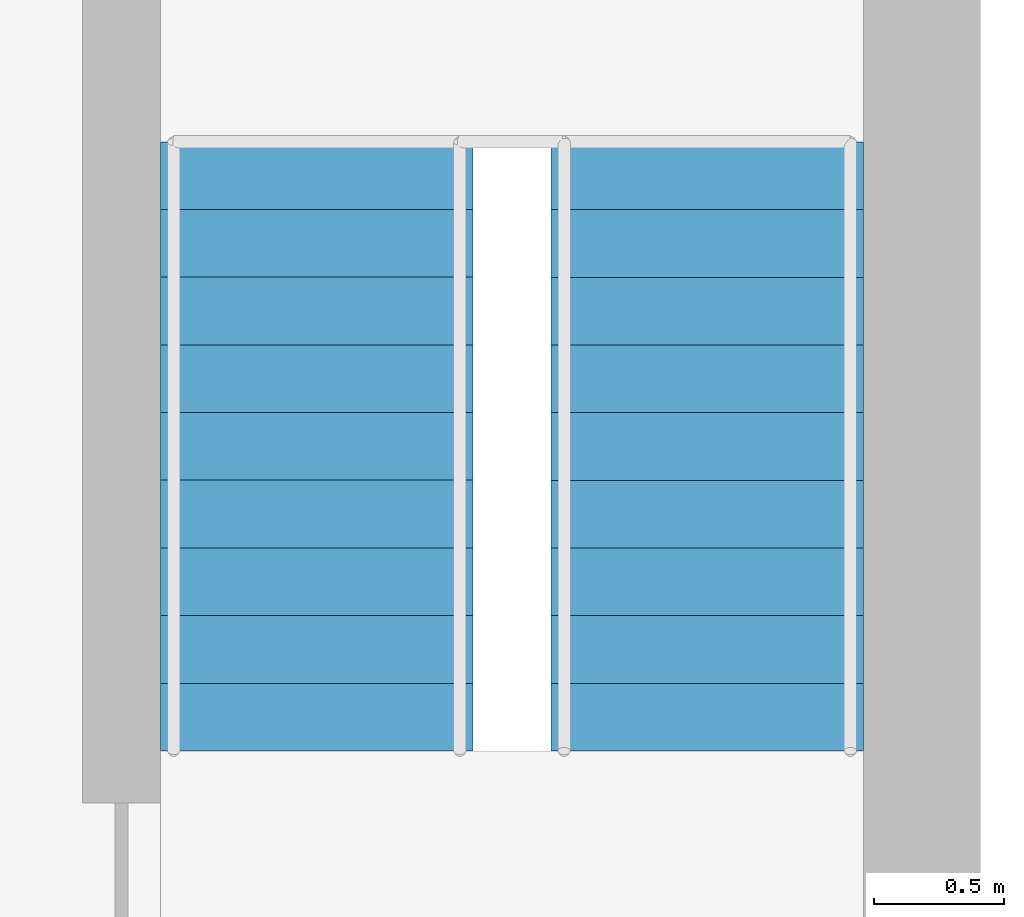
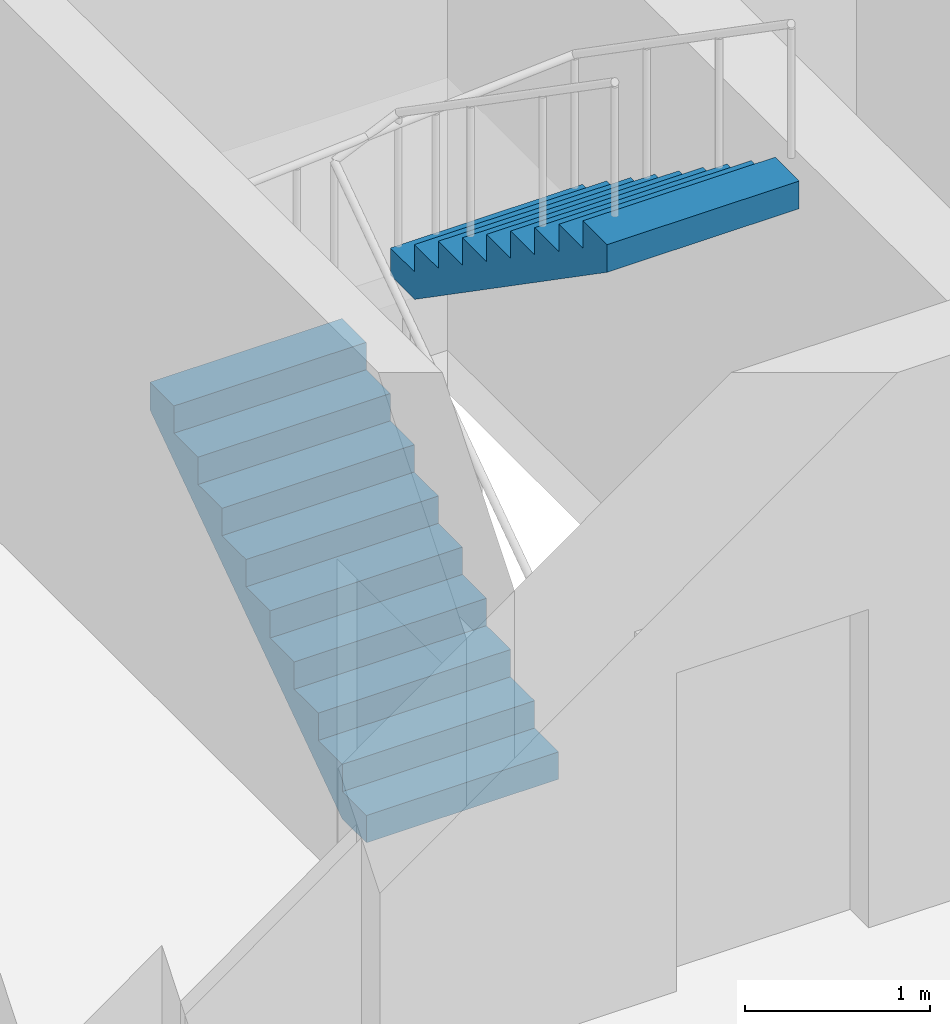
# One storey, part 10 of 15: 2 stair flights, 1 element without a shape of its own.
"""IFC4 building model written with IfcOpenShell, lengths in metres."""

from ifc_helpers import new_model, si_unit, direction, frame, origin, place, context, subcontext, project, spatial, polyline, outline, extrude, material, type_object, element, aggregate, save


model = new_model("IFC4")

# Units and contexts
model_context = context("Model", 3, precision=1e-05, world=origin(), true_north=direction((0.0, 1.0)))
body_context = subcontext(model_context, "Body", "Model", "MODEL_VIEW")
ifc_project = project(units=[si_unit("LENGTHUNIT", "METRE"), si_unit("AREAUNIT", "SQUARE_METRE"), si_unit("VOLUMEUNIT", "CUBIC_METRE"), si_unit("PLANEANGLEUNIT", "RADIAN"), si_unit("MASSUNIT", "GRAM", prefix="KILO")], contexts=[model_context])

# Site, building, storey
site_placement = place(None, origin())
site = spatial("IfcSite", under=ifc_project, at=site_placement, CompositionType="ELEMENT")
building_placement = place(site_placement, origin())
building = spatial("IfcBuilding", under=site, at=building_placement, Name="Torana Hotel and Residences", CompositionType="ELEMENT")
storey_placement = place(building_placement, frame((0.0, 0.0, 70.800048828125)))
storey = spatial("IfcBuildingStorey", under=building, at=storey_placement, Name="L17", CompositionType="ELEMENT", Elevation=70.800048828125)

# Stair, stair flights
ifc_material_1 = material(Name="Concrete C40/50 precast", Category="concrete")
stair_type = type_object("IfcStairType", Name="STAIR ST4 HALF TURN 1200", PredefinedType="HALF_TURN_STAIR", material=ifc_material_1)
stair_placement = place(storey_placement, origin())
stair = element("IfcStair", 1, at=stair_placement, inside=storey, type_object=stair_type, Name="Stair ST4 L17", PredefinedType="HALF_TURN_STAIR")
ifc_material_2 = material(Name="Concrete C40/50 precast", Category="concrete")
stair_flight_type = type_object("IfcStairFlightType", Name="STAIR FLIGHT 1200 PRECAST", PredefinedType="STRAIGHT", material=ifc_material_2)
stair_flight_1_placement = place(storey_placement, frame((16.949951171875, -12.949951171875, 0.0), z_axis=(0.0, 0.0, 1.0), x_axis=(0.0, 1.0, 0.0)))
stair_flight_1 = element("IfcStairFlight", 2, at=stair_flight_1_placement, type_object=stair_flight_type, Name="ST4 flight 1", NumberOfRisers=10, NumberOfTreads=9, PredefinedType="STRAIGHT", RiserHeight=0.18, TreadLength=0.26, context=body_context, shape_type="SweptSolid", body=[
    extrude(outline(polyline([(0.0, 0.0), (0.0, 0.179931640625), (0.260009765625, 0.179931640625), (0.260009765625, 0.360107421875), (0.52001953125, 0.360107421875), (0.52001953125, 0.5400390625), (0.780029296875, 0.5400390625), (0.780029296875, 0.719970703125), (1.0400390625, 0.719970703125), (1.0400390625, 0.89990234375), (1.300048828125, 0.89990234375), (1.300048828125, 1.080078125), (1.56005859375, 1.080078125), (1.56005859375, 1.260009765625), (1.820068359375, 1.260009765625), (1.820068359375, 1.43994140625), (2.080078125, 1.43994140625), (2.080078125, 1.6201171875), (2.340087890625, 1.6201171875), (2.340087890625, 1.800048828125), (2.340087890625, 1.437744140625), (0.263427734375, 0.0), (0.0, 0.0)])), frame((0.0, 0.60009765625, 0.0), z_axis=(0.0, -1.0, 0.0), x_axis=(1.0, 0.0, 0.0)), (0.0, 0.0, 1.0), 1.199951171875),
])
stair_flight_2_placement = place(storey_placement, frame((18.449951171875, -10.610107421875, 1.800048828125), z_axis=(0.0, 0.0, 1.0), x_axis=(0.0, -1.0, 0.0)))
stair_flight_2 = element("IfcStairFlight", 3, at=stair_flight_2_placement, type_object=stair_flight_type, Name="ST4 flight 2", NumberOfRisers=10, NumberOfTreads=9, PredefinedType="STRAIGHT", RiserHeight=0.18, TreadLength=0.26, context=body_context, shape_type="SweptSolid", body=[
    extrude(outline(polyline([(0.0, 0.0), (0.0, 0.179931640625), (0.260009765625, 0.179931640625), (0.260009765625, 0.360107421875), (0.52001953125, 0.360107421875), (0.52001953125, 0.5400390625), (0.780029296875, 0.5400390625), (0.780029296875, 0.719970703125), (1.0400390625, 0.719970703125), (1.0400390625, 0.89990234375), (1.300048828125, 0.89990234375), (1.300048828125, 1.080078125), (1.56005859375, 1.080078125), (1.56005859375, 1.260009765625), (1.820068359375, 1.260009765625), (1.820068359375, 1.43994140625), (2.080078125, 1.43994140625), (2.080078125, 1.6201171875), (2.340087890625, 1.6201171875), (2.340087890625, 1.800048828125), (2.340087890625, 1.437744140625), (0.263427734375, 0.0), (0.0, 0.0)])), frame((0.0, 0.60009765625, 0.0), z_axis=(0.0, -1.0, 0.0), x_axis=(1.0, 0.0, 0.0)), (0.0, 0.0, 1.0), 1.199951171875),
])
aggregate(stair, [stair_flight_1, stair_flight_2])

save(model, "model.ifc")
